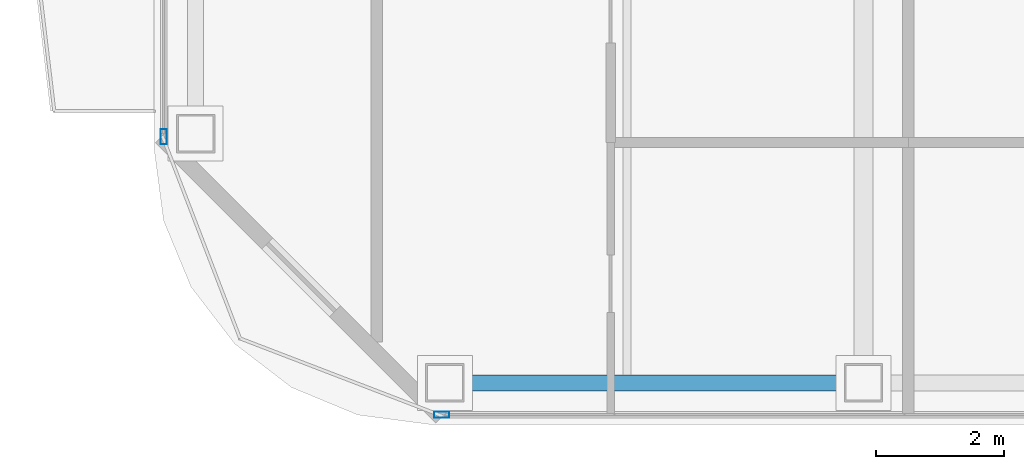
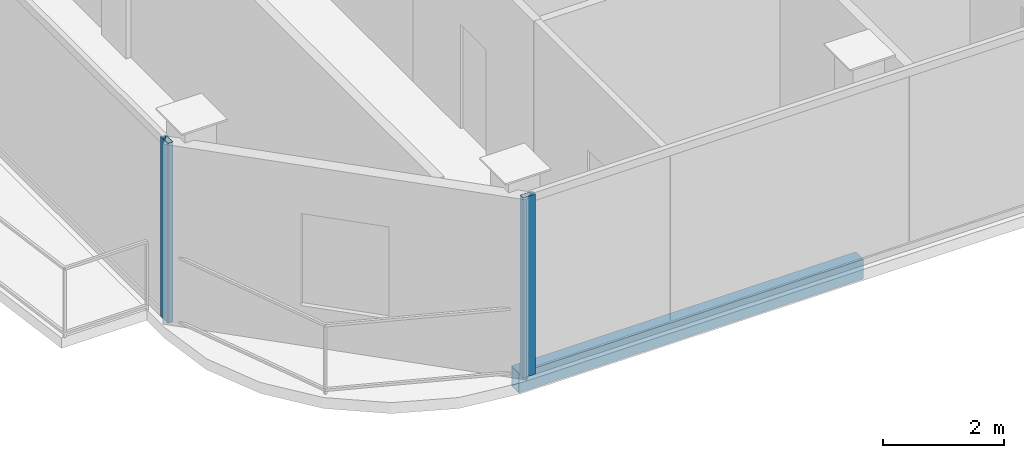
# One storey, part 2 of 26: 2 members, 1 beam, 2 elements without a shape of their own.
"""IFC4 building model written with IfcOpenShell, lengths in metres."""

from ifc_helpers import new_model, si_unit, direction, frame, origin, origin_2d, place, context, subcontext, project, spatial, hollow_rectangle, extrude, material, layer, layer_set, material_profile, profile_set, type_object, element, aggregate, save


model = new_model("IFC4")

# Units and contexts
model_context = context("Model", 3, precision=1e-05, world=origin(), true_north=direction((0.0, 1.0)))
body_context = subcontext(model_context, "Body", "Model", "MODEL_VIEW")
ifc_project = project(units=[si_unit("LENGTHUNIT", "METRE"), si_unit("AREAUNIT", "SQUARE_METRE"), si_unit("VOLUMEUNIT", "CUBIC_METRE"), si_unit("PLANEANGLEUNIT", "RADIAN"), si_unit("MASSUNIT", "GRAM", prefix="KILO")], contexts=[model_context])

# Site, building, storey
site_placement = place(None, origin())
site = spatial("IfcSite", under=ifc_project, at=site_placement, CompositionType="ELEMENT")
building_placement = place(site_placement, origin())
building = spatial("IfcBuilding", under=site, at=building_placement, Name="Khorvyn Point Tower", CompositionType="ELEMENT")
storey_placement = place(building_placement, frame((0.0, 0.0, 250.800048828125)))
storey = spatial("IfcBuildingStorey", under=building, at=storey_placement, Name="L61", CompositionType="ELEMENT", Elevation=250.800048828125)

# Curtain wall, member
ifc_material_1 = material(Name="Anodised aluminium 6063-T6 and laminated Low-E glass", Category="aluminium")
ifc_layer = layer(ifc_material_1, 0.18994140625)
ifc_layer_set = layer_set([ifc_layer], Name="Stick-Built Acoustic Curtain Wall CW-SYS-03")
curtain_wall_type = type_object("IfcCurtainWallType", Name="Stick-Built Acoustic Curtain Wall CW-SYS-03", PredefinedType="NOTDEFINED", material=ifc_layer_set)
curtain_wall_1_placement = place(storey_placement, origin())
curtain_wall_1 = element("IfcCurtainWall", 1, at=curtain_wall_1_placement, inside=storey, type_object=curtain_wall_type, Name="Curtain Wall", PredefinedType="NOTDEFINED")
ifc_material_2 = material(Name="Anodised aluminium 6063-T6", Category="aluminium")
ifc_material_profile_1 = material_profile(ifc_material_2, hollow_rectangle(XDim=0.10009765625, YDim=0.239990234375, WallThickness=0.0048828125, at=origin_2d()))
ifc_profile_set_1 = profile_set([ifc_material_profile_1], Name="Anodised aluminium 6063-T6 ALU-MUL-100x240")
member_type = type_object("IfcMemberType", Name="Anodised Aluminium 6063-T6 Mullion ALU-MUL-100x240", PredefinedType="MULLION", material=ifc_profile_set_1)
member_1_placement = place(storey_placement, frame((-14.0, -28.64990234375, 0.0), z_axis=(0.0, 0.0, 1.0), x_axis=(0.0, -1.0, 0.0)))
member_1 = element("IfcMember", 2, at=member_1_placement, type_object=member_type, Name="Transom", PredefinedType="MULLION", context=body_context, shape_type="SweptSolid", body=[
    extrude(hollow_rectangle(XDim=0.10009765625, YDim=0.239990234375, WallThickness=0.0048828125, at=origin_2d()), origin(), (0.0, 0.0, 1.0), 3.619873046875),
])
aggregate(curtain_wall_1, [member_1])

curtain_wall_2_placement = place(storey_placement, origin())
curtain_wall_2 = element("IfcCurtainWall", 3, at=curtain_wall_2_placement, inside=storey, type_object=curtain_wall_type, Name="Curtain Wall", PredefinedType="NOTDEFINED")
member_2_placement = place(storey_placement, frame((-18.35009765625, -24.300048828125, 0.0), z_axis=(0.0, 0.0, 1.0), x_axis=(-1.0, 0.0, 0.0)))
member_2 = element("IfcMember", 4, at=member_2_placement, type_object=member_type, Name="Transom", PredefinedType="MULLION", context=body_context, shape_type="SweptSolid", body=[
    extrude(hollow_rectangle(XDim=0.10009765625, YDim=0.239990234375, WallThickness=0.0048828125, at=origin_2d()), origin(), (0.0, 0.0, 1.0), 3.619873046875),
])
aggregate(curtain_wall_2, [member_2])

# Beam
ifc_material_3 = material(Name="Steel S355", Category="steel")
ifc_material_profile_2 = material_profile(ifc_material_3, hollow_rectangle(XDim=0.25, YDim=0.39990234375, WallThickness=0.01611328125, at=origin_2d()))
ifc_profile_set_2 = profile_set([ifc_material_profile_2], Name="Steel S355 RHS400x250x16")
beam_type = type_object("IfcBeamType", Name="Steel S355 Spandrel RHS400x250x16", PredefinedType="SPANDREL", material=ifc_profile_set_2)
beam_placement = place(storey_placement, frame((-13.949951171875, -28.14990234375, -0.420166015625), z_axis=(1.0, 0.0, 0.0), x_axis=(0.0, 1.0, 0.0)))
element("IfcBeam", 5, at=beam_placement, inside=storey, type_object=beam_type, Name="Beam", PredefinedType="SPANDREL", context=body_context, shape_type="SweptSolid", body=[
    extrude(hollow_rectangle(XDim=0.25, YDim=0.39990234375, WallThickness=0.01611328125, at=origin_2d()), origin(), (0.0, 0.0, 1.0), 6.550048828125),
])

save(model, "model.ifc")
